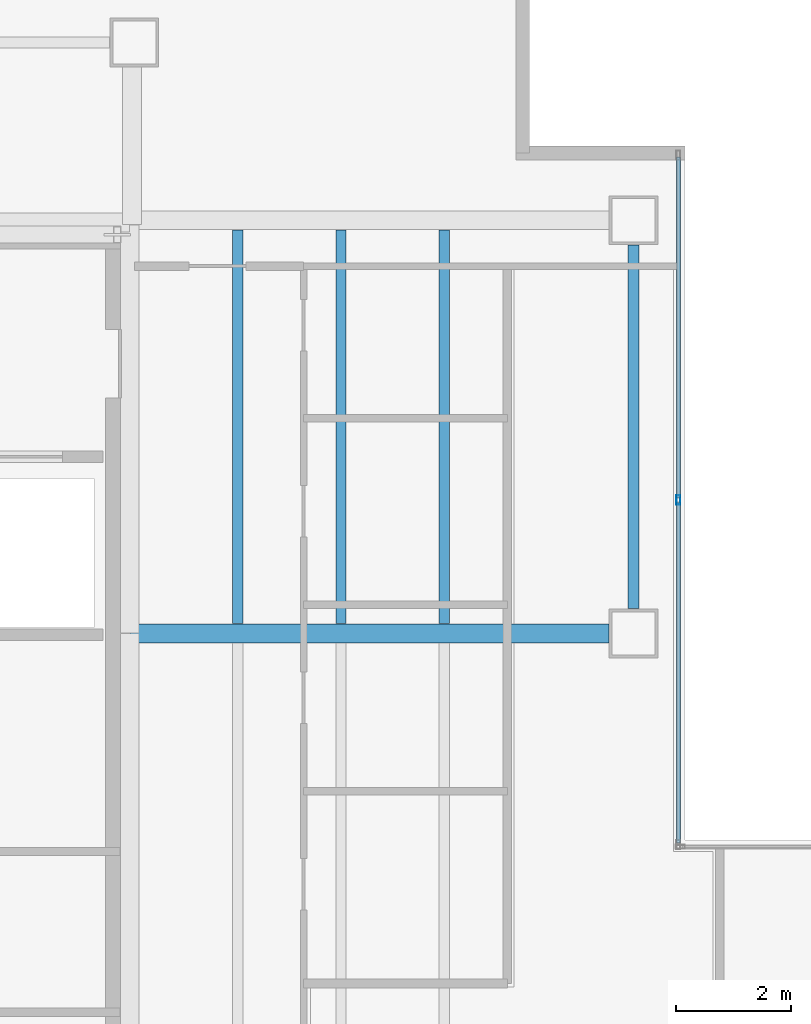
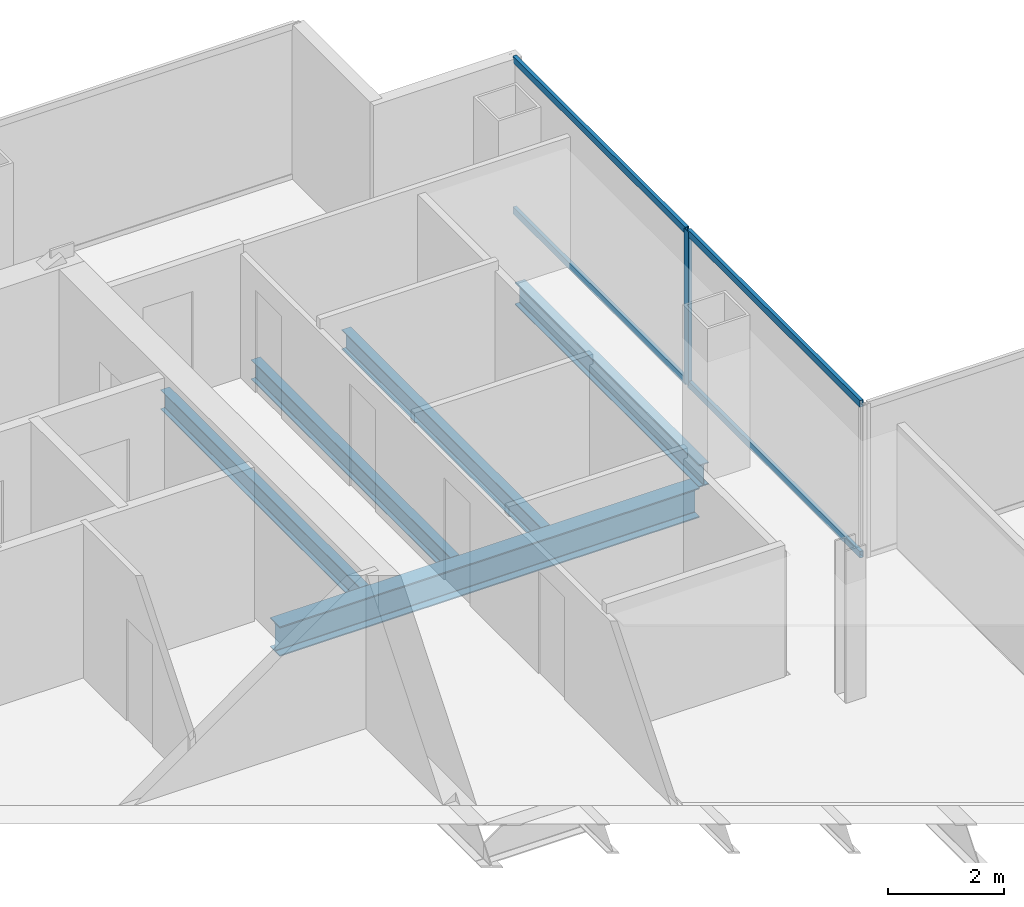
# One storey, part 9 of 23: 5 beams, 5 members, 1 element without a shape of its own.
"""IFC4 building model written with IfcOpenShell, lengths in metres."""

from ifc_helpers import new_model, si_unit, direction, frame, origin, origin_2d, place, context, subcontext, project, spatial, hollow_rectangle, i_section, extrude, material, material_profile, profile_set, type_object, element, aggregate, save


model = new_model("IFC4")

# Units and contexts
model_context = context("Model", 3, precision=1e-05, world=origin(), true_north=direction((0.0, 1.0)))
body_context = subcontext(model_context, "Body", "Model", "MODEL_VIEW")
ifc_project = project(units=[si_unit("LENGTHUNIT", "METRE"), si_unit("AREAUNIT", "SQUARE_METRE"), si_unit("VOLUMEUNIT", "CUBIC_METRE"), si_unit("PLANEANGLEUNIT", "RADIAN"), si_unit("MASSUNIT", "GRAM", prefix="KILO")], contexts=[model_context])

# Site, building, storey
site_placement = place(None, origin())
site = spatial("IfcSite", under=ifc_project, at=site_placement, CompositionType="ELEMENT")
building_placement = place(site_placement, origin())
building = spatial("IfcBuilding", under=site, at=building_placement, Name="Cobrela Telecom Tower", CompositionType="ELEMENT")
storey_placement = place(building_placement, frame((0.0, 0.0, 173.25)))
storey = spatial("IfcBuildingStorey", under=building, at=storey_placement, Name="L43", CompositionType="ELEMENT", Elevation=173.25)

# Beams
ifc_material_1 = material(Name="Steel ASTM A992 Grade 50", Category="steel")
ifc_material_profile_1 = material_profile(ifc_material_1, i_section(OverallWidth=0.327880859375, OverallDepth=0.6220703125, WebThickness=0.015380859375, FlangeThickness=0.0244140625, FilletRadius=0.014892578125, at=origin_2d()), Name="W24X131")
ifc_profile_set_1 = profile_set([ifc_material_profile_1], Name="Steel ASTM A992 Grade 50")
beam_type_1 = type_object("IfcBeamType", Name="BM-GIRD-06", PredefinedType="USERDEFINED", material=ifc_profile_set_1)
beam_1_placement = place(storey_placement, frame((14.324951171875, 28.800048828125, -0.571044921875), z_axis=(1.0, 0.0, 0.0), x_axis=(0.0, 1.0, 0.0)))
element("IfcBeam", 1, at=beam_1_placement, inside=storey, type_object=beam_type_1, Name="L43 Primary Girder X19", ObjectType="GIRDER", PredefinedType="USERDEFINED", context=body_context, shape_type="SweptSolid", body=[
    extrude(i_section(OverallWidth=0.327880859375, OverallDepth=0.6220703125, WebThickness=0.015380859375, FlangeThickness=0.0244140625, FilletRadius=0.014892578125, at=origin_2d()), origin(), (0.0, 0.0, 1.0), 8.344970703125),
])
ifc_material_profile_2 = material_profile(ifc_material_1, i_section(OverallWidth=0.179931640625, OverallDepth=0.4169921875, WebThickness=0.010986328125, FlangeThickness=0.01806640625, FilletRadius=0.011962890625, at=origin_2d()), Name="W16X57")
ifc_profile_set_2 = profile_set([ifc_material_profile_2], Name="Steel ASTM A992 Grade 50")
beam_type_2 = type_object("IfcBeamType", Name="BM-JOIST-04", PredefinedType="JOIST", material=ifc_profile_set_2)
for number, where, z_axis, x_axis, name in (
    (2, (16.199951171875, 28.968994140625, -0.468505859375), (0.0, 1.0, 0.0), (-1.0, 0.0, 0.0), "L43 Secondary Composite Floor Beam J04"),
    (3, (18.0, 28.968994140625, -0.468505859375), (0.0, 1.0, 0.0), (-1.0, 0.0, 0.0), "L43 Secondary Composite Floor Beam J08"),
    (4, (19.800048828125, 28.968994140625, -0.468505859375), (0.0, 1.0, 0.0), (-1.0, 0.0, 0.0), "L43 Secondary Composite Floor Beam J12"),
):
    element("IfcBeam", number, at=place(storey_placement, frame(where, z_axis=z_axis, x_axis=x_axis)), inside=storey, type_object=beam_type_2, Name=name, PredefinedType="JOIST", context=body_context, shape_type="SweptSolid", body=[
        extrude(i_section(OverallWidth=0.179931640625, OverallDepth=0.4169921875, WebThickness=0.010986328125, FlangeThickness=0.01806640625, FilletRadius=0.011962890625, at=origin_2d()), origin(), (0.0, 0.0, 1.0), 6.862060546875),
    ])
ifc_material_profile_3 = material_profile(ifc_material_1, i_section(OverallWidth=0.193115234375, OverallDepth=0.467041015625, WebThickness=0.011474609375, FlangeThickness=0.01904296875, FilletRadius=0.012939453125, at=origin_2d()), Name="W18X65")
ifc_profile_set_3 = profile_set([ifc_material_profile_3], Name="Steel ASTM A992 Grade 50")
beam_type_3 = type_object("IfcBeamType", Name="BM-SPAND-05", PredefinedType="SPANDREL", material=ifc_profile_set_3)
beam_2_placement = place(storey_placement, frame((23.10009765625, 29.22998046875, -0.493408203125), z_axis=(0.0, 1.0, 0.0), x_axis=(-1.0, 0.0, 0.0)))
element("IfcBeam", 5, at=beam_2_placement, inside=storey, type_object=beam_type_3, Name="L43 Perimeter Spandrel Y35", PredefinedType="SPANDREL", context=body_context, shape_type="SweptSolid", body=[
    extrude(i_section(OverallWidth=0.193115234375, OverallDepth=0.467041015625, WebThickness=0.011474609375, FlangeThickness=0.01904296875, FilletRadius=0.012939453125, at=origin_2d()), origin(), (0.0, 0.0, 1.0), 6.340087890625),
])

# Curtain wall, members
ifc_material_2 = material(Name="Anodized Bronze Aluminium 6063-T6", Category="aluminium")
curtain_wall_type = type_object("IfcCurtainWallType", Name="CW-SYS-OFF-LO", PredefinedType="USERDEFINED", material=ifc_material_2)
curtain_wall_placement = place(storey_placement, origin())
curtain_wall = element("IfcCurtainWall", 6, at=curtain_wall_placement, inside=storey, type_object=curtain_wall_type, Name="L43 Unitised Bronze Curtain Wall 10", ObjectType="UNITISED CURTAIN WALL", PredefinedType="USERDEFINED")
ifc_material_profile_4 = material_profile(ifc_material_2, hollow_rectangle(XDim=0.070068359375, YDim=0.159912109375, WallThickness=0.00390625, at=origin_2d()), Name="ALU 70x160x4")
ifc_profile_set_4 = profile_set([ifc_material_profile_4], Name="Anodized Bronze Aluminium 6063-T6")
member_type_1 = type_object("IfcMemberType", Name="CW-SYS-OFF-LO-MUL", PredefinedType="MULLION", material=ifc_profile_set_4)
member_1_placement = place(storey_placement, frame((23.8798828125, 31.125, 0.0), z_axis=(0.0, 0.0, 1.0), x_axis=(1.0, 0.0, 0.0)))
member_1 = element("IfcMember", 7, at=member_1_placement, type_object=member_type_1, Name="CW-OFF-LO mullion 2", PredefinedType="MULLION", context=body_context, shape_type="SweptSolid", body=[
    extrude(hollow_rectangle(XDim=0.070068359375, YDim=0.159912109375, WallThickness=0.00390625, at=origin_2d()), origin(), (0.0, 0.0, 1.0), 3.239990234375),
])
ifc_material_profile_5 = material_profile(ifc_material_2, hollow_rectangle(XDim=0.070068359375, YDim=0.139892578125, WallThickness=0.00390625, at=origin_2d()), Name="ALU 70x140x4")
ifc_profile_set_5 = profile_set([ifc_material_profile_5], Name="Anodized Bronze Aluminium 6063-T6")
member_type_2 = type_object("IfcMemberType", Name="CW-SYS-OFF-LO-TRN", PredefinedType="USERDEFINED", material=ifc_profile_set_5)
member_2_placement = place(storey_placement, frame((23.8798828125, 37.10009765625, 0.034912109375), z_axis=(0.0, -1.0, 0.0), x_axis=(1.0, 0.0, 0.0)))
member_2 = element("IfcMember", 8, at=member_2_placement, type_object=member_type_2, Name="CW-OFF-LO transom 1.1", ObjectType="TRANSOM", PredefinedType="USERDEFINED", context=body_context, shape_type="SweptSolid", body=[
    extrude(hollow_rectangle(XDim=0.070068359375, YDim=0.139892578125, WallThickness=0.00390625, at=origin_2d()), origin(), (0.0, 0.0, 1.0), 5.940185546875),
])
member_3_placement = place(storey_placement, frame((23.8798828125, 37.10009765625, 3.205078125), z_axis=(0.0, -1.0, 0.0), x_axis=(1.0, 0.0, 0.0)))
member_3 = element("IfcMember", 9, at=member_3_placement, type_object=member_type_2, Name="CW-OFF-LO transom 1.2", ObjectType="TRANSOM", PredefinedType="USERDEFINED", context=body_context, shape_type="SweptSolid", body=[
    extrude(hollow_rectangle(XDim=0.070068359375, YDim=0.139892578125, WallThickness=0.00390625, at=origin_2d()), origin(), (0.0, 0.0, 1.0), 5.940185546875),
])
member_4_placement = place(storey_placement, frame((23.8798828125, 31.090087890625, 0.034912109375), z_axis=(0.0, -1.0, 0.0), x_axis=(1.0, 0.0, 0.0)))
member_4 = element("IfcMember", 10, at=member_4_placement, type_object=member_type_2, Name="CW-OFF-LO transom 2.1", ObjectType="TRANSOM", PredefinedType="USERDEFINED", context=body_context, shape_type="SweptSolid", body=[
    extrude(hollow_rectangle(XDim=0.070068359375, YDim=0.139892578125, WallThickness=0.00390625, at=origin_2d()), origin(), (0.0, 0.0, 1.0), 5.940185546875),
])
member_5_placement = place(storey_placement, frame((23.8798828125, 31.090087890625, 3.205078125), z_axis=(0.0, -1.0, 0.0), x_axis=(1.0, 0.0, 0.0)))
member_5 = element("IfcMember", 11, at=member_5_placement, type_object=member_type_2, Name="CW-OFF-LO transom 2.2", ObjectType="TRANSOM", PredefinedType="USERDEFINED", context=body_context, shape_type="SweptSolid", body=[
    extrude(hollow_rectangle(XDim=0.070068359375, YDim=0.139892578125, WallThickness=0.00390625, at=origin_2d()), origin(), (0.0, 0.0, 1.0), 5.940185546875),
])
aggregate(curtain_wall, [member_1, member_2, member_3, member_4, member_5])

save(model, "model.ifc")
